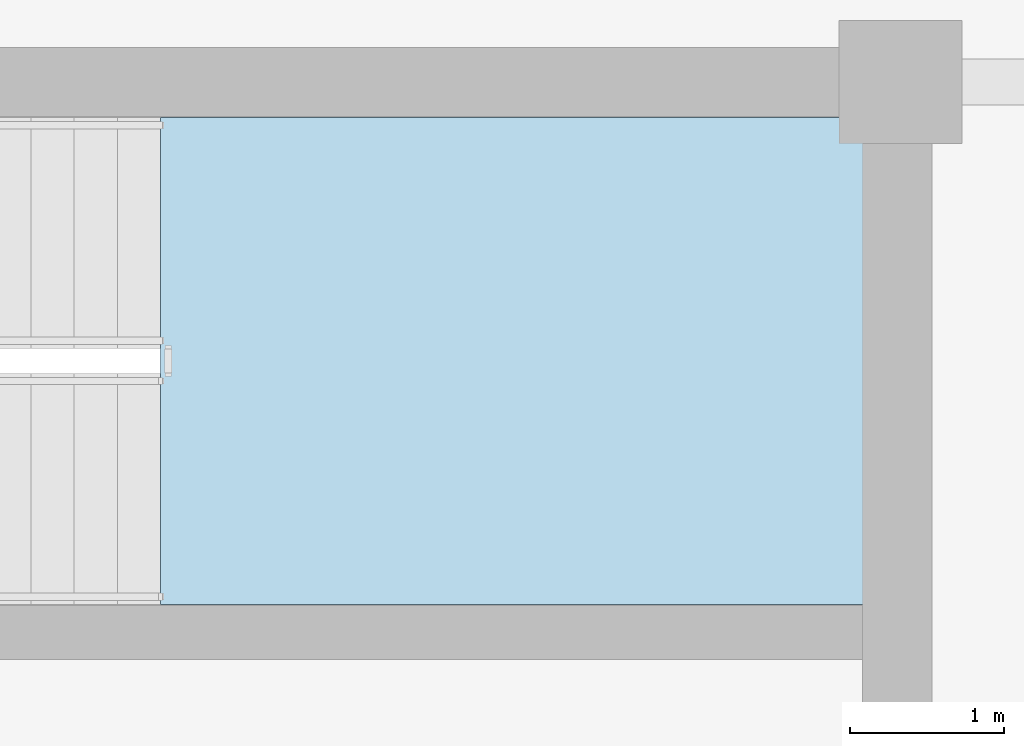
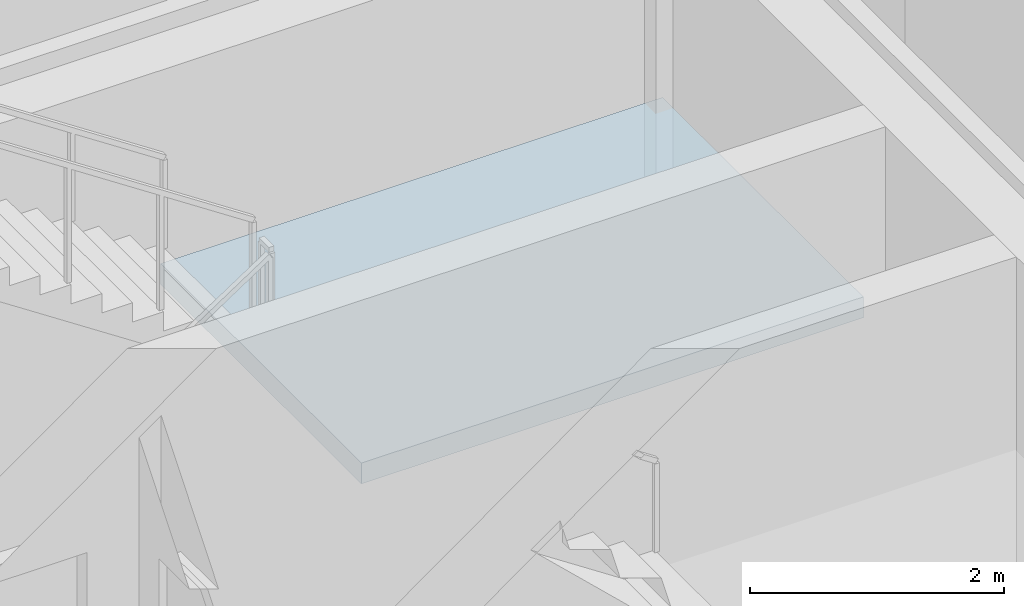
# One storey, part 5 of 14: 1 slab, 1 element without a shape of its own.
"""IFC4 building model written with IfcOpenShell, lengths in metres."""

import ifcopenshell
import ifcopenshell.guid

model = None  # the IFC model being written
_history = None  # IfcOwnerHistory: only IFC2X3 demands one
_inside = {}  # id of a spatial element -> (the spatial element, [elements in it])
_under = {}  # id of a project, library or spatial element -> (it, [spatial elements below it])
_declared = {}  # id of a project -> (the project, [libraries it declares])
_typed = {}  # id of a type object -> (the type object, [elements of that type])
_made_of = {}  # id of a material, layer set ... -> (it, [elements and type objects made of it])


def new_model(schema):
    """Start an empty IFC model of exactly this schema.

    Asked for "IFC4X3", IfcOpenShell would pick the latest addendum, in which some entities
    have other attributes; the version numbers below select the first issue.
    IFC2X3 requires an IfcOwnerHistory on every rooted entity: one is made here for all.
    """
    global model, _history
    if schema == "IFC4X3":
        model = ifcopenshell.file(schema_version=(4, 3, 0, 0))
    else:
        model = ifcopenshell.file(schema=schema)
    _inside.clear()
    _under.clear()
    _declared.clear()
    _typed.clear()
    _made_of.clear()
    _history = None
    if model.schema == "IFC2X3":
        org = make("IfcOrganization", Name="unknown")
        user = make(
            "IfcPersonAndOrganization",
            ThePerson=make("IfcPerson", FamilyName="unknown"),
            TheOrganization=org,
        )
        app = make(
            "IfcApplication",
            ApplicationDeveloper=org,
            Version="unknown",
            ApplicationFullName="unknown",
            ApplicationIdentifier="unknown",
        )
        _history = make(
            "IfcOwnerHistory",
            OwningUser=user,
            OwningApplication=app,
            ChangeAction="ADDED",
            CreationDate=0,
        )
    return model


def make(cls, **values):
    """One entity of the class cls with the attributes given. An attribute that is None is left unset."""
    return model.create_entity(
        cls, **{name: value for name, value in values.items() if value is not None}
    )


def rooted(cls, **values):
    """An entity with a GlobalId (a new one), such as an element, a storey or a relation."""
    return make(cls, GlobalId=ifcopenshell.guid.new(), OwnerHistory=_history, **values)


def si_unit(unit_type, name, prefix=None):
    """IfcSIUnit, for example si_unit("LENGTHUNIT", "METRE", prefix="MILLI")."""
    return make("IfcSIUnit", UnitType=unit_type, Prefix=prefix, Name=name)


def assignment(units):
    """IfcUnitAssignment: the units of a project."""
    return None if units is None else make("IfcUnitAssignment", Units=units)


def point(xyz):
    """IfcCartesianPoint."""
    return None if xyz is None else make("IfcCartesianPoint", Coordinates=xyz)


def direction(xyz):
    """IfcDirection."""
    return None if xyz is None else make("IfcDirection", DirectionRatios=xyz)


def frame(location, z_axis=None, x_axis=None):
    """IfcAxis2Placement3D, a coordinate frame: its origin and axes. An axis left out is left unset."""
    return make(
        "IfcAxis2Placement3D",
        Location=point(location),
        Axis=direction(z_axis),
        RefDirection=direction(x_axis),
    )


def origin():
    """The frame at (0, 0, 0) with its axes left unset."""
    return frame((0.0, 0.0, 0.0))


def place(relative_to, where):
    """IfcLocalPlacement: puts the frame where relative to a parent placement (None: the world)."""
    return make(
        "IfcLocalPlacement", PlacementRelTo=relative_to, RelativePlacement=where
    )


def context(
    kind, dimensions, precision=None, world=None, true_north=None, identifier=None
):
    """IfcGeometricRepresentationContext, for example the 3D "Model" context."""
    return make(
        "IfcGeometricRepresentationContext",
        ContextIdentifier=identifier,
        ContextType=kind,
        CoordinateSpaceDimension=dimensions,
        Precision=precision,
        WorldCoordinateSystem=world,
        TrueNorth=true_north,
    )


def subcontext(parent, identifier, kind, view, scale=None):
    """IfcGeometricRepresentationSubContext, for example "Body" below "Model"."""
    return make(
        "IfcGeometricRepresentationSubContext",
        ContextIdentifier=identifier,
        ContextType=kind,
        ParentContext=parent,
        TargetScale=scale,
        TargetView=view,
    )


def project(units=None, contexts=None):
    """IfcProject with its units and contexts."""
    return rooted(
        "IfcProject",
        Name="project",
        RepresentationContexts=contexts,
        UnitsInContext=assignment(units),
    )


def spatial(cls, under=None, at=None, **own):
    """A site, building, storey or space (cls), placed at a placement, below another one or the project."""
    s = rooted(cls, ObjectPlacement=at, **own)
    if under is not None:
        _under.setdefault(under.id(), (under, []))[1].append(s)
    return s


def polyline(points):
    """IfcPolyline through the points."""
    return make("IfcPolyline", Points=[point(p) for p in points])


def outline(outer, holes=None, kind="AREA"):
    """IfcArbitraryClosedProfileDef: a profile drawn as a closed curve; with holes, ...WithVoids."""
    if holes is None:
        return make("IfcArbitraryClosedProfileDef", ProfileType=kind, OuterCurve=outer)
    return make(
        "IfcArbitraryProfileDefWithVoids",
        ProfileType=kind,
        OuterCurve=outer,
        InnerCurves=holes,
    )


def extrude(swept, where, along, depth):
    """IfcExtrudedAreaSolid: the profile swept, set in the frame where, extruded along a direction by depth."""
    return make(
        "IfcExtrudedAreaSolid",
        SweptArea=swept,
        Position=where,
        ExtrudedDirection=direction(along),
        Depth=depth,
    )


def shape(context_of_items, identifier, shape_type, items):
    """IfcShapeRepresentation: the items that make up one representation, for example the "Body"."""
    return make(
        "IfcShapeRepresentation",
        ContextOfItems=context_of_items,
        RepresentationIdentifier=identifier,
        RepresentationType=shape_type,
        Items=items,
    )


def material(Name=None, Category=None):
    """IfcMaterial."""
    return make("IfcMaterial", Name=Name, Category=Category)


def layer(
    of_material, thickness, ventilated=None, Name=None, Category=None, Priority=None
):
    """IfcMaterialLayer: one layer of a wall or slab, of a material (None: an air gap)."""
    return make(
        "IfcMaterialLayer",
        Material=of_material,
        LayerThickness=thickness,
        IsVentilated=ventilated,
        Name=Name,
        Category=Category,
        Priority=Priority,
    )


def layer_set(layers, Name=None):
    """IfcMaterialLayerSet."""
    return make("IfcMaterialLayerSet", MaterialLayers=layers, LayerSetName=Name)


def made_of(thing, what):
    """Note that an element or type object is made of a material, layer set ...; save() writes the relation."""
    if what is not None:
        _made_of.setdefault(what.id(), (what, []))[1].append(thing)
    return thing


def type_object(cls, material=None, **own):
    """A type object (cls), such as IfcWallType, which elements share."""
    return made_of(rooted(cls, **own), material)


def element(
    cls,
    number,
    at=None,
    inside=None,
    cuts=None,
    type_object=None,
    material=None,
    context=None,
    identifier="Body",
    shape_type=None,
    held_by="IfcProductDefinitionShape",
    body=None,
    shapes=None,
    **own,
):
    """One element of the class cls, such as IfcWall. Its Tag is "e" and its number.

    at: its placement. inside: the storey or other place that contains it. cuts: it is an
    opening in that element (IfcRelVoidsElement). A single representation is given by context,
    identifier, shape_type and body (its items); several are given by shapes. held_by: the class
    of the entity that holds the representations. save() writes the other relations.
    """
    e = rooted(cls, Tag="e%d" % number, ObjectPlacement=at, **own)
    if body is not None:
        shapes = [shape(context, identifier, shape_type, body)]
    if shapes is not None:
        e.Representation = make(held_by, Representations=shapes)
    if inside is not None:
        _inside.setdefault(inside.id(), (inside, []))[1].append(e)
    if cuts is not None:
        rooted(
            "IfcRelVoidsElement", RelatingBuildingElement=cuts, RelatedOpeningElement=e
        )
    if type_object is not None:
        _typed.setdefault(type_object.id(), (type_object, []))[1].append(e)
    return made_of(e, material)


def aggregate(whole, parts):
    """IfcRelAggregates: a whole, such as a stair, and the parts it consists of."""
    return rooted("IfcRelAggregates", RelatingObject=whole, RelatedObjects=parts)


def save(model, path):
    """Write the relations noted so far, then the file.

    IfcRelAggregates (storeys below a building ...), IfcRelContainedInSpatialStructure (elements
    in a storey), IfcRelDefinesByType, IfcRelAssociatesMaterial and IfcRelDeclares: one each for
    every whole, place, type object, material and project.
    """
    for whole, parts in _under.values():
        aggregate(whole, parts)
    for where, things in _inside.values():
        rooted(
            "IfcRelContainedInSpatialStructure",
            RelatedElements=things,
            RelatingStructure=where,
        )
    for kind, things in _typed.values():
        rooted("IfcRelDefinesByType", RelatedObjects=things, RelatingType=kind)
    for what, things in _made_of.values():
        rooted("IfcRelAssociatesMaterial", RelatedObjects=things, RelatingMaterial=what)
    for by, libraries in _declared.values():
        rooted("IfcRelDeclares", RelatingContext=by, RelatedDefinitions=libraries)
    model.write(path)


model = new_model("IFC4")

# Units and contexts
model_context = context("Model", 3, precision=1e-05, world=origin(), true_north=direction((0.0, 1.0)))
body_context = subcontext(model_context, "Body", "Model", "MODEL_VIEW")
ifc_project = project(units=[si_unit("LENGTHUNIT", "METRE"), si_unit("AREAUNIT", "SQUARE_METRE"), si_unit("VOLUMEUNIT", "CUBIC_METRE"), si_unit("PLANEANGLEUNIT", "RADIAN"), si_unit("MASSUNIT", "GRAM", prefix="KILO")], contexts=[model_context])

# Site, building, storey
site_placement = place(None, origin())
site = spatial("IfcSite", under=ifc_project, at=site_placement, CompositionType="ELEMENT")
building_placement = place(site_placement, origin())
building = spatial("IfcBuilding", under=site, at=building_placement, Name="Zarnavel Station Tower", CompositionType="ELEMENT")
storey_placement = place(building_placement, frame((0.0, 0.0, 258.39990234375)))
storey = spatial("IfcBuildingStorey", under=building, at=storey_placement, Name="L70", CompositionType="ELEMENT", Elevation=258.39990234375)

# Stair, slab
ifc_material_1 = material(Name="Concrete C45/55", Category="concrete")
stair_type = type_object("IfcStairType", Name="ST_CORE_150", PredefinedType="HALF_TURN_STAIR", material=ifc_material_1)
stair_placement = place(storey_placement, origin())
stair = element("IfcStair", 1, at=stair_placement, inside=storey, type_object=stair_type, Name="L70 Core Exit Stair ST2", PredefinedType="HALF_TURN_STAIR")
ifc_material_2 = material(Name="Concrete C45/55", Category="concrete")
ifc_layer = layer(ifc_material_2, 0.199951171875)
ifc_layer_set = layer_set([ifc_layer], Name="SL_STAIR_LAND_200")
slab_type = type_object("IfcSlabType", Name="SL_STAIR_LAND_200", PredefinedType="LANDING", material=ifc_layer_set)
slab_placement = place(storey_placement, frame((0.0, 0.0, 1.650146484375)))
slab = element("IfcSlab", 2, at=slab_placement, type_object=slab_type, Name="ST2 landing 1", PredefinedType="LANDING", context=body_context, shape_type="SweptSolid", body=[
    extrude(outline(polyline([(40.60009765625, 33.659912109375), (45.159912109375, 33.659912109375), (45.159912109375, 36.820068359375), (40.60009765625, 36.820068359375), (40.60009765625, 33.659912109375)])), origin(), (0.0, 0.0, 1.0), 0.199951171875),
])
aggregate(stair, [slab])

save(model, "model.ifc")
